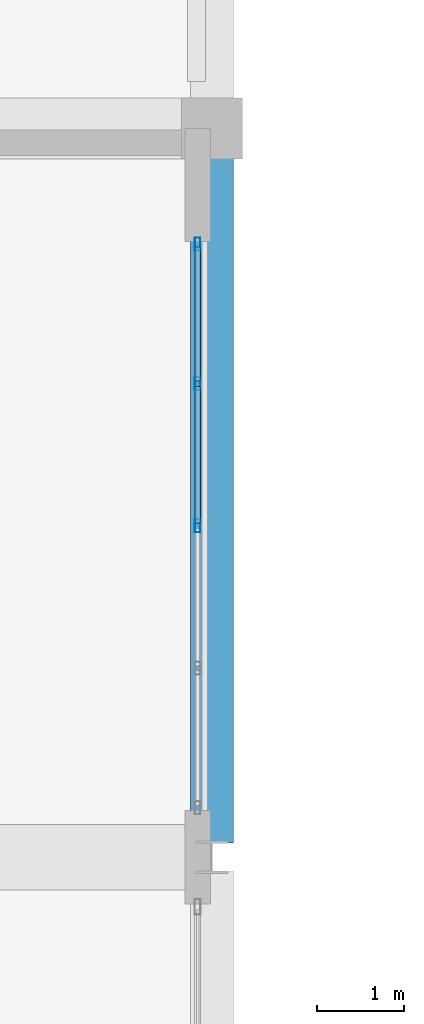
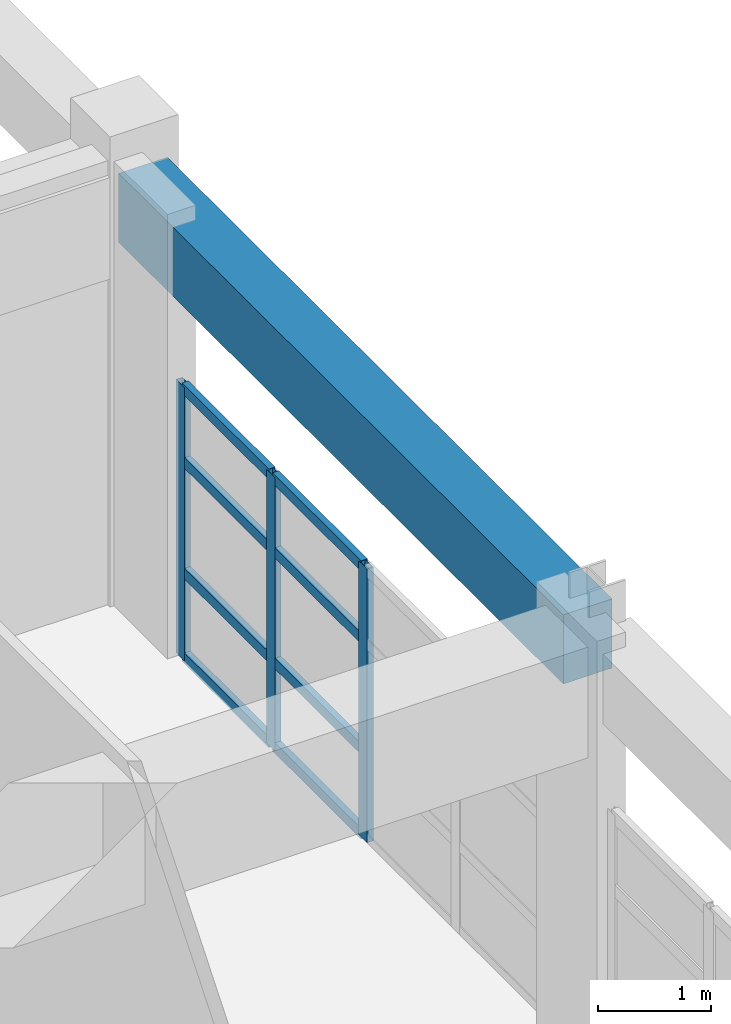
# One storey, part 17 of 103: 11 members, 1 beam, 1 element without a shape of its own.
"""IFC4 building model written with IfcOpenShell, lengths in metres."""

from ifc_helpers import new_model, si_unit, direction, frame, origin, origin_2d, place, context, subcontext, project, spatial, rectangle, hollow_rectangle, extrude, material, layer, layer_set, material_profile, profile_set, type_object, element, aggregate, save


model = new_model("IFC4")

# Units and contexts
model_context = context("Model", 3, precision=1e-05, world=origin(), true_north=direction((0.0, 1.0)))
body_context = subcontext(model_context, "Body", "Model", "MODEL_VIEW")
ifc_project = project(units=[si_unit("LENGTHUNIT", "METRE"), si_unit("AREAUNIT", "SQUARE_METRE"), si_unit("VOLUMEUNIT", "CUBIC_METRE"), si_unit("PLANEANGLEUNIT", "RADIAN"), si_unit("MASSUNIT", "GRAM", prefix="KILO")], contexts=[model_context])

# Site, building, storey
site_placement = place(None, origin())
site = spatial("IfcSite", under=ifc_project, at=site_placement, CompositionType="ELEMENT")
building_placement = place(site_placement, origin())
building = spatial("IfcBuilding", under=site, at=building_placement, Name="Quendrovan Civic Courthouse", CompositionType="ELEMENT")
storey_placement = place(building_placement, frame((0.0, 0.0, 15.300048828125)))
storey = spatial("IfcBuildingStorey", under=building, at=storey_placement, Name="L04", CompositionType="ELEMENT", Elevation=15.300048828125)

# Beam
ifc_material_1 = material(Name="Concrete C40/50", Category="concrete")
ifc_material_profile_1 = material_profile(ifc_material_1, rectangle(XDim=0.5, YDim=0.75, at=origin_2d()), Name="RC-BM-500x750")
ifc_profile_set_1 = profile_set([ifc_material_profile_1], Name="Concrete C40/50")
beam_type = type_object("IfcBeamType", Name="BM-RC750", PredefinedType="SPANDREL", material=ifc_profile_set_1)
beam_placement = place(storey_placement, frame((16.800048828125, 39.76611328125, 4.284912109375), z_axis=(0.0, 1.0, 0.0), x_axis=(-1.0, 0.0, 0.0)))
element("IfcBeam", 1, at=beam_placement, inside=storey, type_object=beam_type, Name="L04 Girder Y0956", PredefinedType="SPANDREL", context=body_context, shape_type="SweptSolid", body=[
    extrude(rectangle(XDim=0.5, YDim=0.75, at=origin_2d()), origin(), (0.0, 0.0, 1.0), 7.90380859375),
])

# Curtain wall, members
ifc_material_2 = material(Name="Bronze anodised aluminium and low-E glass", Category="aluminium")
ifc_layer = layer(ifc_material_2, 0.179931640625, Name="Bronze anodised aluminium and low-E glass")
ifc_layer_set = layer_set([ifc_layer], Name="Bronze anodised aluminium and low-E glass")
curtain_wall_type = type_object("IfcCurtainWallType", Name="CW-U66x30", PredefinedType="USERDEFINED", material=ifc_layer_set)
curtain_wall_placement = place(storey_placement, origin())
curtain_wall = element("IfcCurtainWall", 2, at=curtain_wall_placement, inside=storey, type_object=curtain_wall_type, Name="L04 Unitised Hurricane Curtain Wall CW-151", ObjectType="UNITISED CURTAIN WALL", PredefinedType="USERDEFINED")
ifc_material_3 = material(Name="Bronze anodised aluminium", Category="aluminium")
ifc_material_profile_2 = material_profile(ifc_material_3, hollow_rectangle(XDim=0.06494140625, YDim=0.14990234375, WallThickness=0.00390625, at=origin_2d()), Name="CW-MULL-65x150")
ifc_profile_set_2 = profile_set([ifc_material_profile_2], Name="Bronze anodised aluminium")
member_type_1 = type_object("IfcMemberType", Name="CW-MULL-B", PredefinedType="MULLION", material=ifc_profile_set_2)
member_1_placement = place(storey_placement, frame((16.635009765625, 46.66748046875, 0.0), z_axis=(0.0, 0.0, 1.0), x_axis=(1.0, 0.0, 0.0)))
member_1 = element("IfcMember", 3, at=member_1_placement, type_object=member_type_1, Name="CW-151 mullion 1", PredefinedType="MULLION", context=body_context, shape_type="SweptSolid", body=[
    extrude(hollow_rectangle(XDim=0.06494140625, YDim=0.14990234375, WallThickness=0.00390625, at=origin_2d()), origin(), (0.0, 0.0, 1.0), 2.969970703125),
])
member_2_placement = place(storey_placement, frame((16.635009765625, 45.059326171875, 0.0), z_axis=(0.0, 0.0, 1.0), x_axis=(1.0, 0.0, 0.0)))
member_2 = element("IfcMember", 4, at=member_2_placement, type_object=member_type_1, Name="CW-151 mullion 2", PredefinedType="MULLION", context=body_context, shape_type="SweptSolid", body=[
    extrude(hollow_rectangle(XDim=0.06494140625, YDim=0.14990234375, WallThickness=0.00390625, at=origin_2d()), origin(), (0.0, 0.0, 1.0), 2.969970703125),
])
member_3_placement = place(storey_placement, frame((16.635009765625, 43.41845703125, 0.0), z_axis=(0.0, 0.0, 1.0), x_axis=(1.0, 0.0, 0.0)))
member_3 = element("IfcMember", 5, at=member_3_placement, type_object=member_type_1, Name="CW-151 mullion 3", PredefinedType="MULLION", context=body_context, shape_type="SweptSolid", body=[
    extrude(hollow_rectangle(XDim=0.06494140625, YDim=0.14990234375, WallThickness=0.00390625, at=origin_2d()), origin(), (0.0, 0.0, 1.0), 2.969970703125),
])
ifc_material_profile_3 = material_profile(ifc_material_3, hollow_rectangle(XDim=0.06494140625, YDim=0.114990234375, WallThickness=0.00390625, at=origin_2d()), Name="CW-TRAN-65x115")
ifc_profile_set_3 = profile_set([ifc_material_profile_3], Name="Bronze anodised aluminium")
member_type_2 = type_object("IfcMemberType", Name="CW-TRAN-B", PredefinedType="USERDEFINED", material=ifc_profile_set_3)
member_4_placement = place(storey_placement, frame((16.635009765625, 46.635009765625, 0.032470703125), z_axis=(0.0, -1.0, 0.0), x_axis=(1.0, 0.0, 0.0)))
member_4 = element("IfcMember", 6, at=member_4_placement, type_object=member_type_2, Name="CW-151 transom 1.1", ObjectType="TRANSOM", PredefinedType="USERDEFINED", context=body_context, shape_type="SweptSolid", body=[
    extrude(hollow_rectangle(XDim=0.06494140625, YDim=0.114990234375, WallThickness=0.00390625, at=origin_2d()), origin(), (0.0, 0.0, 1.0), 1.543212890625),
])
member_5_placement = place(storey_placement, frame((16.635009765625, 46.635009765625, 0.949951171875), z_axis=(0.0, -1.0, 0.0), x_axis=(1.0, 0.0, 0.0)))
member_5 = element("IfcMember", 7, at=member_5_placement, type_object=member_type_2, Name="CW-151 transom 1.2", ObjectType="TRANSOM", PredefinedType="USERDEFINED", context=body_context, shape_type="SweptSolid", body=[
    extrude(hollow_rectangle(XDim=0.06494140625, YDim=0.114990234375, WallThickness=0.00390625, at=origin_2d()), origin(), (0.0, 0.0, 1.0), 1.543212890625),
])
member_6_placement = place(storey_placement, frame((16.635009765625, 46.635009765625, 2.14990234375), z_axis=(0.0, -1.0, 0.0), x_axis=(1.0, 0.0, 0.0)))
member_6 = element("IfcMember", 8, at=member_6_placement, type_object=member_type_2, Name="CW-151 transom 1.3", ObjectType="TRANSOM", PredefinedType="USERDEFINED", context=body_context, shape_type="SweptSolid", body=[
    extrude(hollow_rectangle(XDim=0.06494140625, YDim=0.114990234375, WallThickness=0.00390625, at=origin_2d()), origin(), (0.0, 0.0, 1.0), 1.543212890625),
])
member_7_placement = place(storey_placement, frame((16.635009765625, 46.635009765625, 2.9375), z_axis=(0.0, -1.0, 0.0), x_axis=(1.0, 0.0, 0.0)))
member_7 = element("IfcMember", 9, at=member_7_placement, type_object=member_type_2, Name="CW-151 transom 1.4", ObjectType="TRANSOM", PredefinedType="USERDEFINED", context=body_context, shape_type="SweptSolid", body=[
    extrude(hollow_rectangle(XDim=0.06494140625, YDim=0.114990234375, WallThickness=0.00390625, at=origin_2d()), origin(), (0.0, 0.0, 1.0), 1.543212890625),
])
member_8_placement = place(storey_placement, frame((16.635009765625, 45.02685546875, 0.032470703125), z_axis=(0.0, -1.0, 0.0), x_axis=(1.0, 0.0, 0.0)))
member_8 = element("IfcMember", 10, at=member_8_placement, type_object=member_type_2, Name="CW-151 transom 2.1", ObjectType="TRANSOM", PredefinedType="USERDEFINED", context=body_context, shape_type="SweptSolid", body=[
    extrude(hollow_rectangle(XDim=0.06494140625, YDim=0.114990234375, WallThickness=0.00390625, at=origin_2d()), origin(), (0.0, 0.0, 1.0), 1.575927734375),
])
member_9_placement = place(storey_placement, frame((16.635009765625, 45.02685546875, 0.949951171875), z_axis=(0.0, -1.0, 0.0), x_axis=(1.0, 0.0, 0.0)))
member_9 = element("IfcMember", 11, at=member_9_placement, type_object=member_type_2, Name="CW-151 transom 2.2", ObjectType="TRANSOM", PredefinedType="USERDEFINED", context=body_context, shape_type="SweptSolid", body=[
    extrude(hollow_rectangle(XDim=0.06494140625, YDim=0.114990234375, WallThickness=0.00390625, at=origin_2d()), origin(), (0.0, 0.0, 1.0), 1.575927734375),
])
member_10_placement = place(storey_placement, frame((16.635009765625, 45.02685546875, 2.14990234375), z_axis=(0.0, -1.0, 0.0), x_axis=(1.0, 0.0, 0.0)))
member_10 = element("IfcMember", 12, at=member_10_placement, type_object=member_type_2, Name="CW-151 transom 2.3", ObjectType="TRANSOM", PredefinedType="USERDEFINED", context=body_context, shape_type="SweptSolid", body=[
    extrude(hollow_rectangle(XDim=0.06494140625, YDim=0.114990234375, WallThickness=0.00390625, at=origin_2d()), origin(), (0.0, 0.0, 1.0), 1.575927734375),
])
member_11_placement = place(storey_placement, frame((16.635009765625, 45.02685546875, 2.9375), z_axis=(0.0, -1.0, 0.0), x_axis=(1.0, 0.0, 0.0)))
member_11 = element("IfcMember", 13, at=member_11_placement, type_object=member_type_2, Name="CW-151 transom 2.4", ObjectType="TRANSOM", PredefinedType="USERDEFINED", context=body_context, shape_type="SweptSolid", body=[
    extrude(hollow_rectangle(XDim=0.06494140625, YDim=0.114990234375, WallThickness=0.00390625, at=origin_2d()), origin(), (0.0, 0.0, 1.0), 1.575927734375),
])
aggregate(curtain_wall, [member_1, member_2, member_3, member_4, member_5, member_6, member_7, member_8, member_9, member_10, member_11])

save(model, "model.ifc")
